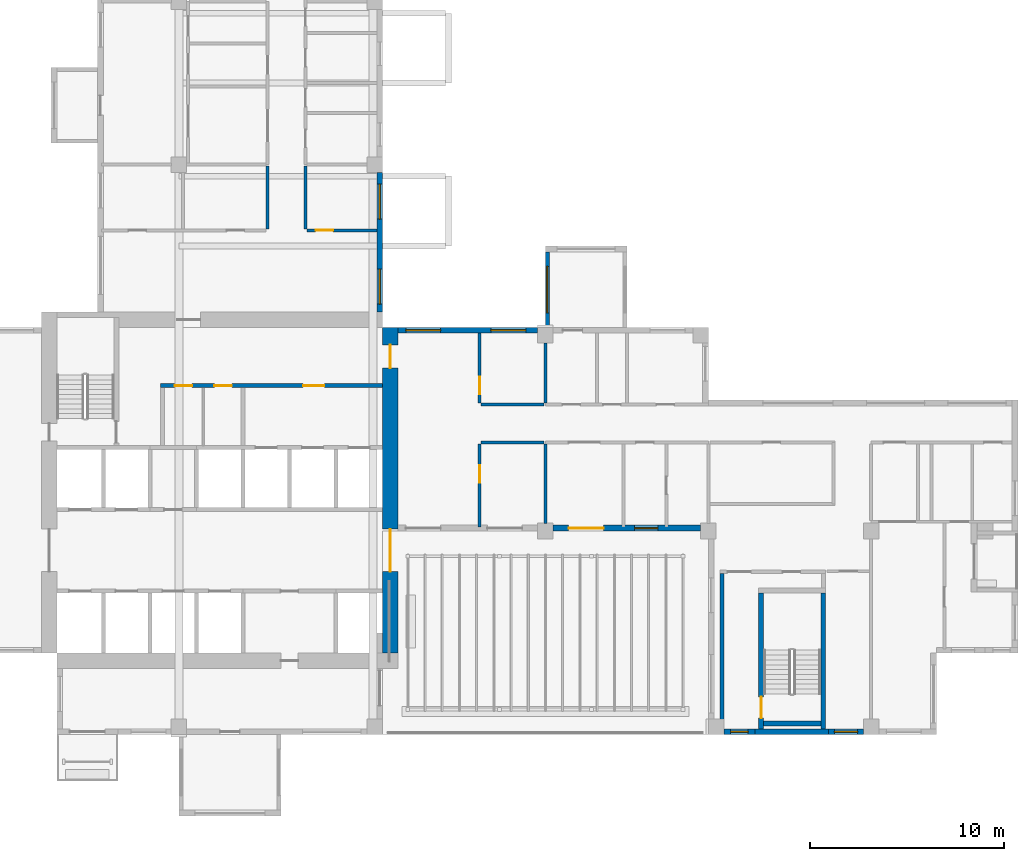
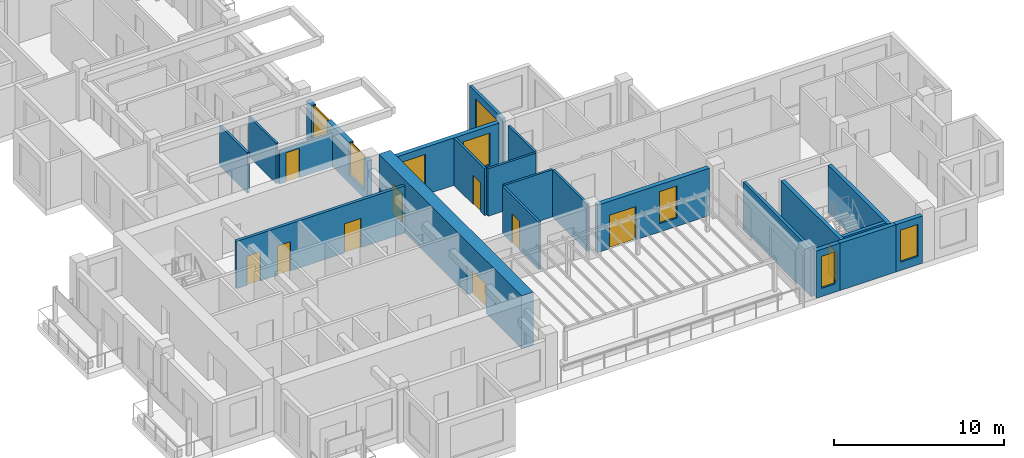
# One storey, part 5 of 13: 22 walls, 10 doors, 8 windows, 18 openings.
"""IFC4 building model written with IfcOpenShell, lengths in metres."""

from ifc_helpers import new_model, si_unit, direction, frame, frame_2d, origin, place, context, subcontext, project, spatial, rectangle, extrude, source, transform, mapped, material, layer, layer_set, type_object, element, fill, save


model = new_model("IFC4")

# Units and contexts
model_context = context("Model", 3, precision=1e-05, world=origin(), true_north=direction((0.0, 1.0)))
body_context = subcontext(model_context, "Body", "Model", "MODEL_VIEW")
ifc_project = project(units=[si_unit("LENGTHUNIT", "METRE"), si_unit("AREAUNIT", "SQUARE_METRE"), si_unit("VOLUMEUNIT", "CUBIC_METRE"), si_unit("PLANEANGLEUNIT", "RADIAN"), si_unit("MASSUNIT", "GRAM", prefix="KILO")], contexts=[model_context])

# Site, building, storey
site_placement = place(None, origin())
site = spatial("IfcSite", under=ifc_project, at=site_placement, CompositionType="ELEMENT")
building_placement = place(site_placement, origin())
building = spatial("IfcBuilding", under=site, at=building_placement, Name="Aurelian Terraces", CompositionType="ELEMENT")
storey_placement = place(building_placement, frame((0.0, 0.0, 253.8)))
storey = spatial("IfcBuildingStorey", under=building, at=storey_placement, Name="L58", CompositionType="ELEMENT", Elevation=253.8)

# Wall, opening, window
ifc_material_1 = material(Name="Terracotta rainscreen cladding", Category="masonry")
ifc_layer_1 = layer(ifc_material_1, 0.3)
ifc_layer_set_1 = layer_set([ifc_layer_1], Name="EW-300")
wall_type_1 = type_object("IfcWallType", Name="EW-300", PredefinedType="STANDARD", material=ifc_layer_set_1)
wall_1_placement = place(storey_placement, frame((38.6, 0.15, 0.0), z_axis=(0.0, 0.0, 1.0), x_axis=(1.0, 0.0, 0.0)))
wall_1 = element("IfcWall", 1, at=wall_1_placement, inside=storey, type_object=wall_type_1, Name="External wall L58 F05.9", PredefinedType="STANDARD", context=body_context, shape_type="SweptSolid", body=[
    extrude(rectangle(XDim=1.6, YDim=0.3, at=frame_2d((0.8, 0.0))), origin(), (0.0, 0.0, 1.0), 3.4),
])
shared_shape_1 = source(origin(), body_context, "Body", "SweptSolid", [
    extrude(rectangle(XDim=0.9, YDim=2.3, at=frame_2d((0.45, 1.15))), frame((0.0, 0.16, 0.0), z_axis=(0.0, -1.0, 0.0), x_axis=(1.0, 0.0, 0.0)), (0.0, 0.0, 1.0), 0.32),
])
opening_1_placement = place(wall_1_placement, frame((0.35, 0.0, 0.6)))
opening_1 = element("IfcOpeningElement", 2, at=opening_1_placement, cuts=wall_1, Name="Opening W0923", PredefinedType="OPENING", context=body_context, shape_type="MappedRepresentation", body=[
    mapped(shared_shape_1, transform((0.0, 0.0, 0.0), scale=1.0)),
])
ifc_material_2 = material(Name="Clear glazing", Category="glass")
window_type_1 = type_object("IfcWindowType", Name="W-900x2300", PartitioningType="SINGLE_PANEL", PredefinedType="WINDOW", material=ifc_material_2)
shared_shape_2 = source(origin(), body_context, "Body", "SweptSolid", [
    extrude(rectangle(XDim=0.9, YDim=2.3, at=frame_2d((0.45, 1.15))), frame((0.0, 0.03, 0.0), z_axis=(0.0, -1.0, 0.0), x_axis=(1.0, 0.0, 0.0)), (0.0, 0.0, 1.0), 0.06),
])
window_1_placement = place(opening_1_placement, origin())
window_1 = element("IfcWindow", 3, at=window_1_placement, inside=storey, type_object=window_type_1, Name="Window L58 L58-F05-09-P0", OverallHeight=2.3, OverallWidth=0.9, PartitioningType="SINGLE_PANEL", PredefinedType="WINDOW", context=body_context, shape_type="MappedRepresentation", body=[
    mapped(shared_shape_2, transform((0.0, 0.0, 0.0), scale=1.0)),
])
fill(opening_1, window_1)

# Wall
ifc_material_3 = material(Name="Gypsum board on steel studs", Category="steel")
ifc_layer_2 = layer(ifc_material_3, 0.15)
ifc_layer_set_2 = layer_set([ifc_layer_2], Name="Fire partition 150")
wall_type_2 = type_object("IfcWallType", Name="Fire partition 150", PredefinedType="PARTITIONING", material=ifc_layer_set_2)
wall_2_placement = place(storey_placement, frame((15.075, 26.075, 0.0), z_axis=(0.0, 0.0, 1.0), x_axis=(0.0, 1.0, 0.0)))
element("IfcWall", 4, at=wall_2_placement, inside=storey, type_object=wall_type_2, Name="Corridor wall", PredefinedType="PARTITIONING", context=body_context, shape_type="SweptSolid", body=[
    extrude(rectangle(XDim=3.25, YDim=0.15, at=frame_2d((1.625, 0.0))), origin(), (0.0, 0.0, 1.0), 2.9),
])

# Wall, openings, doors
ifc_material_4 = material(Name="Concrete fc' 70 MPa", Category="concrete")
ifc_layer_3 = layer(ifc_material_4, 0.8)
ifc_layer_set_3 = layer_set([ifc_layer_3], Name="CORE WALL 800 FC70")
wall_type_3 = type_object("IfcWallType", Name="CORE WALL 800 FC70", PredefinedType="SHEAR", material=ifc_layer_set_3)
shared_shape_3 = source(origin(), body_context, "Body", "SweptSolid", [
    extrude(rectangle(XDim=16.8, YDim=0.8, at=frame_2d((8.4, 0.0))), origin(), (0.0, 0.0, 1.0), 3.8),
])
wall_3_placement = place(storey_placement, frame((21.4, 4.2, 0.0), z_axis=(0.0, 0.0, 1.0), x_axis=(0.0, 1.0, 0.0)))
wall_3 = element("IfcWall", 5, at=wall_3_placement, inside=storey, type_object=wall_type_3, Name="Core wall E L58", PredefinedType="SHEAR", context=body_context, shape_type="MappedRepresentation", body=[
    mapped(shared_shape_3, transform((0.0, 0.0, 0.0), scale=1.0)),
])
shared_shape_4 = source(origin(), body_context, "Body", "SweptSolid", [
    extrude(rectangle(XDim=2.2, YDim=2.1, at=frame_2d((1.1, 1.05))), frame((0.0, 0.41, 0.0), z_axis=(0.0, -1.0, 0.0), x_axis=(1.0, 0.0, 0.0)), (0.0, 0.0, 1.0), 0.82),
])
opening_2_placement = place(wall_3_placement, frame((4.2, 0.0, 0.0)))
opening_2 = element("IfcOpeningElement", 6, at=opening_2_placement, cuts=wall_3, Name="Opening 66121", PredefinedType="OPENING", context=body_context, shape_type="MappedRepresentation", body=[
    mapped(shared_shape_4, transform((0.0, 0.0, 0.0), scale=1.0)),
])
shared_shape_5 = source(origin(), body_context, "Body", "SweptSolid", [
    extrude(rectangle(XDim=1.2, YDim=2.1, at=frame_2d((0.6, 1.05))), frame((0.0, 0.41, 0.0), z_axis=(0.0, -1.0, 0.0), x_axis=(1.0, 0.0, 0.0)), (0.0, 0.0, 1.0), 0.82),
])
opening_3_placement = place(wall_3_placement, frame((14.7, 0.0, 0.0)))
opening_3 = element("IfcOpeningElement", 7, at=opening_3_placement, cuts=wall_3, Name="Opening 66124", PredefinedType="OPENING", context=body_context, shape_type="MappedRepresentation", body=[
    mapped(shared_shape_5, transform((0.0, 0.0, 0.0), scale=1.0)),
])
ifc_material_5 = material(Name="Steel door leaf", Category="steel")
door_type_1 = type_object("IfcDoorType", Name="Core fire door 1200x2100", OperationType="SINGLE_SWING_LEFT", PredefinedType="DOOR", material=ifc_material_5)
shared_shape_6 = source(origin(), body_context, "Body", "SweptSolid", [
    extrude(rectangle(XDim=1.2, YDim=2.1, at=frame_2d((0.6, 1.05))), frame((0.0, 0.025, 0.0), z_axis=(0.0, -1.0, 0.0), x_axis=(1.0, 0.0, 0.0)), (0.0, 0.0, 1.0), 0.05),
])
door_1_placement = place(opening_3_placement, origin())
door_1 = element("IfcDoor", 8, at=door_1_placement, inside=storey, type_object=door_type_1, Name="Core door 66124", OperationType="SINGLE_SWING_LEFT", OverallHeight=2.1, OverallWidth=1.2, PredefinedType="DOOR", context=body_context, shape_type="MappedRepresentation", body=[
    mapped(shared_shape_6, transform((0.0, 0.0, 0.0), scale=1.0)),
])
fill(opening_3, door_1)
door_type_2 = type_object("IfcDoorType", Name="Core double door 2200x2100", OperationType="DOUBLE_DOOR_SINGLE_SWING", PredefinedType="DOOR", material=ifc_material_5)
shared_shape_7 = source(origin(), body_context, "Body", "SweptSolid", [
    extrude(rectangle(XDim=2.2, YDim=2.1, at=frame_2d((1.1, 1.05))), frame((0.0, 0.025, 0.0), z_axis=(0.0, -1.0, 0.0), x_axis=(1.0, 0.0, 0.0)), (0.0, 0.0, 1.0), 0.05),
])
door_2_placement = place(opening_2_placement, origin())
door_2 = element("IfcDoor", 9, at=door_2_placement, inside=storey, type_object=door_type_2, Name="Core door 66121", OperationType="DOUBLE_DOOR_SINGLE_SWING", OverallHeight=2.1, OverallWidth=2.2, PredefinedType="DOOR", context=body_context, shape_type="MappedRepresentation", body=[
    mapped(shared_shape_7, transform((0.0, 0.0, 0.0), scale=1.0)),
])
fill(opening_2, door_2)

# Wall, opening, window
ifc_material_6 = material(Name="Concrete fc' 40 MPa", Category="concrete")
ifc_layer_4 = layer(ifc_material_6, 0.2)
ifc_layer_set_4 = layer_set([ifc_layer_4], Name="BOX BEARING WALL 200")
wall_type_4 = type_object("IfcWallType", Name="BOX BEARING WALL 200", PredefinedType="SOLIDWALL", material=ifc_layer_set_4)
shared_shape_8 = source(origin(), body_context, "Body", "SweptSolid", [
    extrude(rectangle(XDim=3.9, YDim=0.2, at=frame_2d((1.95, 0.0))), origin(), (0.0, 0.0, 1.0), 3.39),
])
wall_4_placement = place(storey_placement, frame((29.5, 21.0, 0.0), z_axis=(0.0, 0.0, 1.0), x_axis=(0.0, 1.0, 0.0)))
wall_4 = element("IfcWall", 10, at=wall_4_placement, inside=storey, type_object=wall_type_4, Name="Box return L58 J84.2", PredefinedType="SOLIDWALL", context=body_context, shape_type="MappedRepresentation", body=[
    mapped(shared_shape_8, transform((0.0, 0.0, 0.0), scale=1.0)),
])
shared_shape_9 = source(origin(), body_context, "Body", "SweptSolid", [
    extrude(rectangle(XDim=2.4, YDim=2.3, at=frame_2d((1.2, 1.15))), frame((0.0, 0.11, 0.0), z_axis=(0.0, -1.0, 0.0), x_axis=(1.0, 0.0, 0.0)), (0.0, 0.0, 1.0), 0.22),
])
opening_4_placement = place(wall_4_placement, frame((0.75, 0.0, 0.6)))
opening_4 = element("IfcOpeningElement", 11, at=opening_4_placement, cuts=wall_4, Name="Opening W2423", PredefinedType="OPENING", context=body_context, shape_type="MappedRepresentation", body=[
    mapped(shared_shape_9, transform((0.0, 0.0, 0.0), scale=1.0)),
])
window_type_2 = type_object("IfcWindowType", Name="W-2400x2300", PartitioningType="SINGLE_PANEL", PredefinedType="WINDOW", material=ifc_material_2)
shared_shape_10 = source(origin(), body_context, "Body", "SweptSolid", [
    extrude(rectangle(XDim=2.4, YDim=2.3, at=frame_2d((1.2, 1.15))), frame((0.0, 0.03, 0.0), z_axis=(0.0, -1.0, 0.0), x_axis=(1.0, 0.0, 0.0)), (0.0, 0.0, 1.0), 0.06),
])
window_2_placement = place(opening_4_placement, origin())
window_2 = element("IfcWindow", 12, at=window_2_placement, inside=storey, type_object=window_type_2, Name="Window L58 J84-S2", OverallHeight=2.3, OverallWidth=2.4, PartitioningType="SINGLE_PANEL", PredefinedType="WINDOW", context=body_context, shape_type="MappedRepresentation", body=[
    mapped(shared_shape_10, transform((0.0, 0.0, 0.0), scale=1.0)),
])
fill(opening_4, window_2)

# Wall
ifc_layer_5 = layer(ifc_material_6, 0.3)
ifc_layer_set_5 = layer_set([ifc_layer_5], Name="STAIR BAY WALL 300")
wall_type_5 = type_object("IfcWallType", Name="STAIR BAY WALL 300", PredefinedType="SOLIDWALL", material=ifc_layer_set_5)
shared_shape_11 = source(origin(), body_context, "Body", "SweptSolid", [
    extrude(rectangle(XDim=3.8, YDim=0.3, at=frame_2d((1.9, 0.0))), origin(), (0.0, 0.0, 1.0), 3.4),
])
wall_5_placement = place(storey_placement, frame((40.2, 0.15, 0.0), z_axis=(0.0, 0.0, 1.0), x_axis=(1.0, 0.0, 0.0)))
element("IfcWall", 13, at=wall_5_placement, inside=storey, type_object=wall_type_5, Name="Stair bay wall L58 F05.9", PredefinedType="SOLIDWALL", context=body_context, shape_type="MappedRepresentation", body=[
    mapped(shared_shape_11, transform((0.0, 0.0, 0.0), scale=1.0)),
])

# Wall, openings, windows
shared_shape_12 = source(origin(), body_context, "Body", "SweptSolid", [
    extrude(rectangle(XDim=7.2, YDim=0.3, at=frame_2d((3.6, 0.0))), origin(), (0.0, 0.0, 1.0), 3.4),
])
wall_6_placement = place(storey_placement, frame((29.0, 20.85, 0.0), z_axis=(0.0, 0.0, 1.0), x_axis=(-1.0, 0.0, 0.0)))
wall_6 = element("IfcWall", 14, at=wall_6_placement, inside=storey, type_object=wall_type_1, Name="External wall L58 F11.20", PredefinedType="STANDARD", context=body_context, shape_type="MappedRepresentation", body=[
    mapped(shared_shape_12, transform((0.0, 0.0, 0.0), scale=1.0)),
])
shared_shape_13 = source(origin(), body_context, "Body", "SweptSolid", [
    extrude(rectangle(XDim=1.8, YDim=2.3, at=frame_2d((0.9, 1.15))), frame((0.0, 0.16, 0.0), z_axis=(0.0, -1.0, 0.0), x_axis=(1.0, 0.0, 0.0)), (0.0, 0.0, 1.0), 0.32),
])
opening_5_placement = place(wall_6_placement, frame((0.6125, 0.0, 0.6)))
opening_5 = element("IfcOpeningElement", 15, at=opening_5_placement, cuts=wall_6, Name="Opening W1823", PredefinedType="OPENING", context=body_context, shape_type="MappedRepresentation", body=[
    mapped(shared_shape_13, transform((0.0, 0.0, 0.0), scale=1.0)),
])
opening_6_placement = place(wall_6_placement, frame((5.0, 0.0, 0.6)))
opening_6 = element("IfcOpeningElement", 16, at=opening_6_placement, cuts=wall_6, Name="Opening W1823", PredefinedType="OPENING", context=body_context, shape_type="MappedRepresentation", body=[
    mapped(shared_shape_13, transform((0.0, 0.0, 0.0), scale=1.0)),
])
window_type_3 = type_object("IfcWindowType", Name="W-1800x2300", PartitioningType="SINGLE_PANEL", PredefinedType="WINDOW", material=ifc_material_2)
shared_shape_14 = source(origin(), body_context, "Body", "SweptSolid", [
    extrude(rectangle(XDim=1.8, YDim=2.3, at=frame_2d((0.9, 1.15))), frame((0.0, 0.03, 0.0), z_axis=(0.0, -1.0, 0.0), x_axis=(1.0, 0.0, 0.0)), (0.0, 0.0, 1.0), 0.06),
])
window_3_placement = place(opening_5_placement, origin())
window_3 = element("IfcWindow", 17, at=window_3_placement, inside=storey, type_object=window_type_3, Name="Window L58 L58-F11-20-0", OverallHeight=2.3, OverallWidth=1.8, PartitioningType="SINGLE_PANEL", PredefinedType="WINDOW", context=body_context, shape_type="MappedRepresentation", body=[
    mapped(shared_shape_14, transform((0.0, 0.0, 0.0), scale=1.0)),
])
fill(opening_5, window_3)
window_4_placement = place(opening_6_placement, origin())
window_4 = element("IfcWindow", 18, at=window_4_placement, inside=storey, type_object=window_type_3, Name="Window L58 L58-F11-20-1", OverallHeight=2.3, OverallWidth=1.8, PartitioningType="SINGLE_PANEL", PredefinedType="WINDOW", context=body_context, shape_type="MappedRepresentation", body=[
    mapped(shared_shape_14, transform((0.0, 0.0, 0.0), scale=1.0)),
])
fill(opening_6, window_4)

# Wall, openings, door, window
shared_shape_15 = source(origin(), body_context, "Body", "SweptSolid", [
    extrude(rectangle(XDim=7.6, YDim=0.3, at=frame_2d((3.8, 0.0))), origin(), (0.0, 0.0, 1.0), 3.4),
])
wall_7_placement = place(storey_placement, frame((29.8, 10.65, 0.0), z_axis=(0.0, 0.0, 1.0), x_axis=(1.0, 0.0, 0.0)))
wall_7 = element("IfcWall", 19, at=wall_7_placement, inside=storey, type_object=wall_type_1, Name="External wall L58 F03.7", PredefinedType="STANDARD", context=body_context, shape_type="MappedRepresentation", body=[
    mapped(shared_shape_15, transform((0.0, 0.0, 0.0), scale=1.0)),
])
shared_shape_16 = source(origin(), body_context, "Body", "SweptSolid", [
    extrude(rectangle(XDim=1.8, YDim=2.4, at=frame_2d((0.9, 1.2))), frame((0.0, 0.16, 0.0), z_axis=(0.0, -1.0, 0.0), x_axis=(1.0, 0.0, 0.0)), (0.0, 0.0, 1.0), 0.32),
])
opening_7_placement = place(wall_7_placement, frame((0.8, 0.0, 0.0)))
opening_7 = element("IfcOpeningElement", 20, at=opening_7_placement, cuts=wall_7, Name="Opening 85805", PredefinedType="OPENING", context=body_context, shape_type="MappedRepresentation", body=[
    mapped(shared_shape_16, transform((0.0, 0.0, 0.0), scale=1.0)),
])
shared_shape_17 = source(origin(), body_context, "Body", "SweptSolid", [
    extrude(rectangle(XDim=1.2, YDim=2.3, at=frame_2d((0.6, 1.15))), frame((0.0, 0.16, 0.0), z_axis=(0.0, -1.0, 0.0), x_axis=(1.0, 0.0, 0.0)), (0.0, 0.0, 1.0), 0.32),
])
opening_8_placement = place(wall_7_placement, frame((4.204, 0.0, 0.6)))
opening_8 = element("IfcOpeningElement", 21, at=opening_8_placement, cuts=wall_7, Name="Opening W1223", PredefinedType="OPENING", context=body_context, shape_type="MappedRepresentation", body=[
    mapped(shared_shape_17, transform((0.0, 0.0, 0.0), scale=1.0)),
])
door_type_3 = type_object("IfcDoorType", Name="BD-1800x2400", OperationType="SLIDING_TO_LEFT", PredefinedType="DOOR", material=ifc_material_2)
shared_shape_18 = source(origin(), body_context, "Body", "SweptSolid", [
    extrude(rectangle(XDim=1.8, YDim=2.4, at=frame_2d((0.9, 1.2))), frame((0.0, 0.025, 0.0), z_axis=(0.0, -1.0, 0.0), x_axis=(1.0, 0.0, 0.0)), (0.0, 0.0, 1.0), 0.05),
])
door_3_placement = place(opening_7_placement, origin())
door_3 = element("IfcDoor", 22, at=door_3_placement, inside=storey, type_object=door_type_3, Name="Terrace door L58 L58-F03-07.1", OperationType="SLIDING_TO_LEFT", OverallHeight=2.4, OverallWidth=1.8, PredefinedType="DOOR", context=body_context, shape_type="MappedRepresentation", body=[
    mapped(shared_shape_18, transform((0.0, 0.0, 0.0), scale=1.0)),
])
fill(opening_7, door_3)
window_type_4 = type_object("IfcWindowType", Name="W-1200x2300", PartitioningType="SINGLE_PANEL", PredefinedType="WINDOW", material=ifc_material_2)
shared_shape_19 = source(origin(), body_context, "Body", "SweptSolid", [
    extrude(rectangle(XDim=1.2, YDim=2.3, at=frame_2d((0.6, 1.15))), frame((0.0, 0.03, 0.0), z_axis=(0.0, -1.0, 0.0), x_axis=(1.0, 0.0, 0.0)), (0.0, 0.0, 1.0), 0.06),
])
window_5_placement = place(opening_8_placement, origin())
window_5 = element("IfcWindow", 23, at=window_5_placement, inside=storey, type_object=window_type_4, Name="Window L58 L58-F03-07-G0-31", OverallHeight=2.3, OverallWidth=1.2, PartitioningType="SINGLE_PANEL", PredefinedType="WINDOW", context=body_context, shape_type="MappedRepresentation", body=[
    mapped(shared_shape_19, transform((0.0, 0.0, 0.0), scale=1.0)),
])
fill(opening_8, window_5)

# Wall, opening, window
shared_shape_20 = source(origin(), body_context, "Body", "SweptSolid", [
    extrude(rectangle(XDim=1.8, YDim=0.3, at=frame_2d((0.9, 0.0))), origin(), (0.0, 0.0, 1.0), 3.4),
])
wall_8_placement = place(storey_placement, frame((44.0, 0.15, 0.0), z_axis=(0.0, 0.0, 1.0), x_axis=(1.0, 0.0, 0.0)))
wall_8 = element("IfcWall", 24, at=wall_8_placement, inside=storey, type_object=wall_type_1, Name="External wall L58 F05.9", PredefinedType="STANDARD", context=body_context, shape_type="MappedRepresentation", body=[
    mapped(shared_shape_20, transform((0.0, 0.0, 0.0), scale=1.0)),
])
opening_9_placement = place(wall_8_placement, frame((0.3, 0.0, 0.6)))
opening_9 = element("IfcOpeningElement", 25, at=opening_9_placement, cuts=wall_8, Name="Opening W1223", PredefinedType="OPENING", context=body_context, shape_type="MappedRepresentation", body=[
    mapped(shared_shape_17, transform((0.0, 0.0, 0.0), scale=1.0)),
])
window_6_placement = place(opening_9_placement, origin())
window_6 = element("IfcWindow", 26, at=window_6_placement, inside=storey, type_object=window_type_4, Name="Window L58 L58-F05-09-P2", OverallHeight=2.3, OverallWidth=1.2, PartitioningType="SINGLE_PANEL", PredefinedType="WINDOW", context=body_context, shape_type="MappedRepresentation", body=[
    mapped(shared_shape_19, transform((0.0, 0.0, 0.0), scale=1.0)),
])
fill(opening_9, window_6)

# Wall, openings, windows
shared_shape_21 = source(origin(), body_context, "Body", "SweptSolid", [
    extrude(rectangle(XDim=7.2, YDim=0.3, at=frame_2d((3.6, 0.0))), origin(), (0.0, 0.0, 1.0), 2.9),
])
wall_9_placement = place(storey_placement, frame((20.85, 21.8, 0.0), z_axis=(0.0, 0.0, 1.0), x_axis=(0.0, 1.0, 0.0)))
wall_9 = element("IfcWall", 27, at=wall_9_placement, inside=storey, type_object=wall_type_1, Name="External wall L58 F12.21", PredefinedType="STANDARD", context=body_context, shape_type="MappedRepresentation", body=[
    mapped(shared_shape_21, transform((0.0, 0.0, 0.0), scale=1.0)),
])
opening_10_placement = place(wall_9_placement, frame((0.4, 0.0, 0.6)))
opening_10 = element("IfcOpeningElement", 28, at=opening_10_placement, cuts=wall_9, Name="Opening W1823", PredefinedType="OPENING", context=body_context, shape_type="MappedRepresentation", body=[
    mapped(shared_shape_13, transform((0.0, 0.0, 0.0), scale=1.0)),
])
opening_11_placement = place(wall_9_placement, frame((4.7875, 0.0, 0.6)))
opening_11 = element("IfcOpeningElement", 29, at=opening_11_placement, cuts=wall_9, Name="Opening W1823", PredefinedType="OPENING", context=body_context, shape_type="MappedRepresentation", body=[
    mapped(shared_shape_13, transform((0.0, 0.0, 0.0), scale=1.0)),
])
window_7_placement = place(opening_10_placement, origin())
window_7 = element("IfcWindow", 30, at=window_7_placement, inside=storey, type_object=window_type_3, Name="Window L58 L58-F12-21-0", OverallHeight=2.3, OverallWidth=1.8, PartitioningType="SINGLE_PANEL", PredefinedType="WINDOW", context=body_context, shape_type="MappedRepresentation", body=[
    mapped(shared_shape_14, transform((0.0, 0.0, 0.0), scale=1.0)),
])
fill(opening_10, window_7)
window_8_placement = place(opening_11_placement, origin())
window_8 = element("IfcWindow", 31, at=window_8_placement, inside=storey, type_object=window_type_3, Name="Window L58 L58-F12-21-1", OverallHeight=2.3, OverallWidth=1.8, PartitioningType="SINGLE_PANEL", PredefinedType="WINDOW", context=body_context, shape_type="MappedRepresentation", body=[
    mapped(shared_shape_14, transform((0.0, 0.0, 0.0), scale=1.0)),
])
fill(opening_11, window_8)

# Wall, opening, door
ifc_layer_6 = layer(ifc_material_6, 0.25)
ifc_layer_set_6 = layer_set([ifc_layer_6], Name="Stair enclosure wall 250")
wall_type_6 = type_object("IfcWallType", Name="Stair enclosure wall 250", PredefinedType="SOLIDWALL", material=ifc_layer_set_6)
shared_shape_22 = source(origin(), body_context, "Body", "SweptSolid", [
    extrude(rectangle(XDim=7.0, YDim=0.25, at=frame_2d((3.5, 0.0))), origin(), (0.0, 0.0, 1.0), 3.4),
])
wall_10_placement = place(storey_placement, frame((40.525, 0.3, 0.0), z_axis=(0.0, 0.0, 1.0), x_axis=(0.0, 1.0, 0.0)))
wall_10 = element("IfcWall", 32, at=wall_10_placement, inside=storey, type_object=wall_type_6, Name="L58 core wall ST-S2-W", PredefinedType="SOLIDWALL", context=body_context, shape_type="MappedRepresentation", body=[
    mapped(shared_shape_22, transform((0.0, 0.0, 0.0), scale=1.0)),
])
shared_shape_23 = source(origin(), body_context, "Body", "SweptSolid", [
    extrude(rectangle(XDim=1.1, YDim=2.1, at=frame_2d((0.55, 1.05))), frame((0.0, 0.135, 0.0), z_axis=(0.0, -1.0, 0.0), x_axis=(1.0, 0.0, 0.0)), (0.0, 0.0, 1.0), 0.27),
])
opening_12_placement = place(wall_10_placement, frame((0.55, 0.0, 0.0)))
opening_12 = element("IfcOpeningElement", 33, at=opening_12_placement, cuts=wall_10, Name="Opening 66115", PredefinedType="OPENING", context=body_context, shape_type="MappedRepresentation", body=[
    mapped(shared_shape_23, transform((0.0, 0.0, 0.0), scale=1.0)),
])
door_type_4 = type_object("IfcDoorType", Name="Core fire door 1100x2100", OperationType="SINGLE_SWING_LEFT", PredefinedType="DOOR", material=ifc_material_5)
shared_shape_24 = source(origin(), body_context, "Body", "SweptSolid", [
    extrude(rectangle(XDim=1.1, YDim=2.1, at=frame_2d((0.55, 1.05))), frame((0.0, 0.025, 0.0), z_axis=(0.0, -1.0, 0.0), x_axis=(1.0, 0.0, 0.0)), (0.0, 0.0, 1.0), 0.05),
])
door_4_placement = place(opening_12_placement, origin())
door_4 = element("IfcDoor", 34, at=door_4_placement, inside=storey, type_object=door_type_4, Name="Stair door 66115", OperationType="SINGLE_SWING_LEFT", OverallHeight=2.1, OverallWidth=1.1, PredefinedType="DOOR", context=body_context, shape_type="MappedRepresentation", body=[
    mapped(shared_shape_24, transform((0.0, 0.0, 0.0), scale=1.0)),
])
fill(opening_12, door_4)

# Walls
wall_11_placement = place(storey_placement, frame((43.725, 0.3, 0.0), z_axis=(0.0, 0.0, 1.0), x_axis=(0.0, 1.0, 0.0)))
element("IfcWall", 35, at=wall_11_placement, inside=storey, type_object=wall_type_6, Name="L58 core wall ST-S2-E", PredefinedType="SOLIDWALL", context=body_context, shape_type="MappedRepresentation", body=[
    mapped(shared_shape_22, transform((0.0, 0.0, 0.0), scale=1.0)),
])
shared_shape_25 = source(origin(), body_context, "Body", "SweptSolid", [
    extrude(rectangle(XDim=2.95, YDim=0.25, at=frame_2d((1.475, 0.0))), origin(), (0.0, 0.0, 1.0), 3.4),
])
wall_12_placement = place(storey_placement, frame((40.65, 0.575, 0.0), z_axis=(0.0, 0.0, 1.0), x_axis=(1.0, 0.0, 0.0)))
element("IfcWall", 36, at=wall_12_placement, inside=storey, type_object=wall_type_6, Name="L58 core wall ST-S2-SS", PredefinedType="SOLIDWALL", context=body_context, shape_type="MappedRepresentation", body=[
    mapped(shared_shape_25, transform((0.0, 0.0, 0.0), scale=1.0)),
])

# Wall, openings, doors
ifc_layer_7 = layer(ifc_material_3, 0.2)
ifc_layer_set_7 = layer_set([ifc_layer_7], Name="Core partition 200")
wall_type_7 = type_object("IfcWallType", Name="Core partition 200", PredefinedType="PARTITIONING", material=ifc_layer_set_7)
shared_shape_26 = source(origin(), body_context, "Body", "SweptSolid", [
    extrude(rectangle(XDim=11.45, YDim=0.2, at=frame_2d((5.725, 0.0))), origin(), (0.0, 0.0, 1.0), 3.4),
])
wall_13_placement = place(storey_placement, frame((9.55, 18.0, 0.0), z_axis=(0.0, 0.0, 1.0), x_axis=(1.0, 0.0, 0.0)))
wall_13 = element("IfcWall", 37, at=wall_13_placement, inside=storey, type_object=wall_type_7, Name="L58 core wall CP-NORTH", PredefinedType="PARTITIONING", context=body_context, shape_type="MappedRepresentation", body=[
    mapped(shared_shape_26, transform((0.0, 0.0, 0.0), scale=1.0)),
])
shared_shape_27 = source(origin(), body_context, "Body", "SweptSolid", [
    extrude(rectangle(XDim=0.9, YDim=2.1, at=frame_2d((0.45, 1.05))), frame((0.0, 0.11, 0.0), z_axis=(0.0, -1.0, 0.0), x_axis=(1.0, 0.0, 0.0)), (0.0, 0.0, 1.0), 0.22),
])
opening_13_placement = place(wall_13_placement, frame((0.725, 0.0, 0.0)))
opening_13 = element("IfcOpeningElement", 38, at=opening_13_placement, cuts=wall_13, Name="Opening 66112", PredefinedType="OPENING", context=body_context, shape_type="MappedRepresentation", body=[
    mapped(shared_shape_27, transform((0.0, 0.0, 0.0), scale=1.0)),
])
opening_14_placement = place(wall_13_placement, frame((2.775, 0.0, 0.0)))
opening_14 = element("IfcOpeningElement", 39, at=opening_14_placement, cuts=wall_13, Name="Opening 66113", PredefinedType="OPENING", context=body_context, shape_type="MappedRepresentation", body=[
    mapped(shared_shape_27, transform((0.0, 0.0, 0.0), scale=1.0)),
])
shared_shape_28 = source(origin(), body_context, "Body", "SweptSolid", [
    extrude(rectangle(XDim=1.1, YDim=2.1, at=frame_2d((0.55, 1.05))), frame((0.0, 0.11, 0.0), z_axis=(0.0, -1.0, 0.0), x_axis=(1.0, 0.0, 0.0)), (0.0, 0.0, 1.0), 0.22),
])
opening_15_placement = place(wall_13_placement, frame((7.35, 0.0, 0.0)))
opening_15 = element("IfcOpeningElement", 40, at=opening_15_placement, cuts=wall_13, Name="Opening 66114", PredefinedType="OPENING", context=body_context, shape_type="MappedRepresentation", body=[
    mapped(shared_shape_28, transform((0.0, 0.0, 0.0), scale=1.0)),
])
door_type_5 = type_object("IfcDoorType", Name="Core service door 900x2100 right", OperationType="SINGLE_SWING_RIGHT", PredefinedType="DOOR", material=ifc_material_5)
shared_shape_29 = source(origin(), body_context, "Body", "SweptSolid", [
    extrude(rectangle(XDim=0.9, YDim=2.1, at=frame_2d((0.45, 1.05))), frame((0.0, 0.025, 0.0), z_axis=(0.0, -1.0, 0.0), x_axis=(1.0, 0.0, 0.0)), (0.0, 0.0, 1.0), 0.05),
])
door_5_placement = place(opening_13_placement, origin())
door_5 = element("IfcDoor", 41, at=door_5_placement, inside=storey, type_object=door_type_5, Name="Room door 66112", OperationType="SINGLE_SWING_RIGHT", OverallHeight=2.1, OverallWidth=0.9, PredefinedType="DOOR", context=body_context, shape_type="MappedRepresentation", body=[
    mapped(shared_shape_29, transform((0.0, 0.0, 0.0), scale=1.0)),
])
fill(opening_13, door_5)
door_type_6 = type_object("IfcDoorType", Name="Core service door 900x2100", OperationType="SINGLE_SWING_LEFT", PredefinedType="DOOR", material=ifc_material_5)
door_6_placement = place(opening_14_placement, origin())
door_6 = element("IfcDoor", 42, at=door_6_placement, inside=storey, type_object=door_type_6, Name="Room door 66113", OperationType="SINGLE_SWING_LEFT", OverallHeight=2.1, OverallWidth=0.9, PredefinedType="DOOR", context=body_context, shape_type="MappedRepresentation", body=[
    mapped(shared_shape_29, transform((0.0, 0.0, 0.0), scale=1.0)),
])
fill(opening_14, door_6)
door_type_7 = type_object("IfcDoorType", Name="Core fire door 1100x2100 right", OperationType="SINGLE_SWING_RIGHT", PredefinedType="DOOR", material=ifc_material_5)
door_7_placement = place(opening_15_placement, origin())
door_7 = element("IfcDoor", 43, at=door_7_placement, inside=storey, type_object=door_type_7, Name="Ff lobby door 66114", OperationType="SINGLE_SWING_RIGHT", OverallHeight=2.1, OverallWidth=1.1, PredefinedType="DOOR", context=body_context, shape_type="MappedRepresentation", body=[
    mapped(shared_shape_24, transform((0.0, 0.0, 0.0), scale=1.0)),
])
fill(opening_15, door_7)

# Wall
shared_shape_30 = source(origin(), body_context, "Body", "SweptSolid", [
    extrude(rectangle(XDim=8.0, YDim=0.2, at=frame_2d((4.0, 0.0))), origin(), (0.0, 0.0, 1.0), 3.4),
])
wall_14_placement = place(storey_placement, frame((38.5, 0.3, 0.0), z_axis=(0.0, 0.0, 1.0), x_axis=(0.0, 1.0, 0.0)))
element("IfcWall", 44, at=wall_14_placement, inside=storey, type_object=wall_type_7, Name="L58 core wall ST-S2-VW", PredefinedType="PARTITIONING", context=body_context, shape_type="MappedRepresentation", body=[
    mapped(shared_shape_30, transform((0.0, 0.0, 0.0), scale=1.0)),
])

# Wall, opening, door
ifc_layer_8 = layer(ifc_material_3, 0.15)
ifc_layer_set_8 = layer_set([ifc_layer_8], Name="Partition 150")
wall_type_8 = type_object("IfcWallType", Name="Partition 150", PredefinedType="PARTITIONING", material=ifc_layer_set_8)
shared_shape_31 = source(origin(), body_context, "Body", "SweptSolid", [
    extrude(rectangle(XDim=3.6, YDim=0.15, at=frame_2d((1.8, 0.0))), origin(), (0.0, 0.0, 1.0), 3.4),
])
wall_15_placement = place(storey_placement, frame((26.0, 20.7, 0.0), z_axis=(0.0, 0.0, 1.0), x_axis=(0.0, -1.0, 0.0)))
wall_15 = element("IfcWall", 45, at=wall_15_placement, inside=storey, type_object=wall_type_8, Name="Partition", PredefinedType="PARTITIONING", context=body_context, shape_type="MappedRepresentation", body=[
    mapped(shared_shape_31, transform((0.0, 0.0, 0.0), scale=1.0)),
])
shared_shape_32 = source(origin(), body_context, "Body", "SweptSolid", [
    extrude(rectangle(XDim=0.9, YDim=2.1, at=frame_2d((0.45, 1.05))), frame((0.0, 0.085, 0.0), z_axis=(0.0, -1.0, 0.0), x_axis=(1.0, 0.0, 0.0)), (0.0, 0.0, 1.0), 0.17),
])
opening_16_placement = place(wall_15_placement, frame((2.25, 0.0, 0.0)))
opening_16 = element("IfcOpeningElement", 46, at=opening_16_placement, cuts=wall_15, Name="Opening 758002", PredefinedType="OPENING", context=body_context, shape_type="MappedRepresentation", body=[
    mapped(shared_shape_32, transform((0.0, 0.0, 0.0), scale=1.0)),
])
ifc_material_7 = material(Name="Timber door leaf", Category="wood")
door_type_8 = type_object("IfcDoorType", Name="Room door 900x2100 left", OperationType="SINGLE_SWING_LEFT", PredefinedType="DOOR", material=ifc_material_7)
door_8_placement = place(opening_16_placement, origin())
door_8 = element("IfcDoor", 47, at=door_8_placement, inside=storey, type_object=door_type_8, Name="Door 758002", OperationType="SINGLE_SWING_LEFT", OverallHeight=2.1, OverallWidth=0.9, PredefinedType="DOOR", context=body_context, shape_type="MappedRepresentation", body=[
    mapped(shared_shape_29, transform((0.0, 0.0, 0.0), scale=1.0)),
])
fill(opening_16, door_8)

shared_shape_33 = source(origin(), body_context, "Body", "SweptSolid", [
    extrude(rectangle(XDim=4.295, YDim=0.15, at=frame_2d((2.1475, 0.0))), origin(), (0.0, 0.0, 1.0), 3.4),
])
wall_16_placement = place(storey_placement, frame((26.0, 15.0, 0.0), z_axis=(0.0, 0.0, 1.0), x_axis=(0.0, -1.0, 0.0)))
wall_16 = element("IfcWall", 48, at=wall_16_placement, inside=storey, type_object=wall_type_8, Name="Partition", PredefinedType="PARTITIONING", context=body_context, shape_type="MappedRepresentation", body=[
    mapped(shared_shape_33, transform((0.0, 0.0, 0.0), scale=1.0)),
])
opening_17_placement = place(wall_16_placement, frame((1.1125, 0.0, 0.0)))
opening_17 = element("IfcOpeningElement", 49, at=opening_17_placement, cuts=wall_16, Name="Opening 758001", PredefinedType="OPENING", context=body_context, shape_type="MappedRepresentation", body=[
    mapped(shared_shape_32, transform((0.0, 0.0, 0.0), scale=1.0)),
])
door_type_9 = type_object("IfcDoorType", Name="Room door 900x2100 right", OperationType="SINGLE_SWING_RIGHT", PredefinedType="DOOR", material=ifc_material_7)
door_9_placement = place(opening_17_placement, origin())
door_9 = element("IfcDoor", 50, at=door_9_placement, inside=storey, type_object=door_type_9, Name="Door 758001", OperationType="SINGLE_SWING_RIGHT", OverallHeight=2.1, OverallWidth=0.9, PredefinedType="DOOR", context=body_context, shape_type="MappedRepresentation", body=[
    mapped(shared_shape_29, transform((0.0, 0.0, 0.0), scale=1.0)),
])
fill(opening_17, door_9)

shared_shape_34 = source(origin(), body_context, "Body", "SweptSolid", [
    extrude(rectangle(XDim=3.6, YDim=0.15, at=frame_2d((1.8, 0.0))), origin(), (0.0, 0.0, 1.0), 2.4),
])
wall_17_placement = place(storey_placement, frame((17.1, 26.0, 0.0), z_axis=(0.0, 0.0, 1.0), x_axis=(1.0, 0.0, 0.0)))
wall_17 = element("IfcWall", 51, at=wall_17_placement, inside=storey, type_object=wall_type_8, Name="Partition", PredefinedType="PARTITIONING", context=body_context, shape_type="MappedRepresentation", body=[
    mapped(shared_shape_34, transform((0.0, 0.0, 0.0), scale=1.0)),
])
opening_18_placement = place(wall_17_placement, frame((0.45, 0.0, 0.0)))
opening_18 = element("IfcOpeningElement", 52, at=opening_18_placement, cuts=wall_17, Name="Opening 758017", PredefinedType="OPENING", context=body_context, shape_type="MappedRepresentation", body=[
    mapped(shared_shape_32, transform((0.0, 0.0, 0.0), scale=1.0)),
])
door_10_placement = place(opening_18_placement, origin())
door_10 = element("IfcDoor", 53, at=door_10_placement, inside=storey, type_object=door_type_8, Name="Door 758017", OperationType="SINGLE_SWING_LEFT", OverallHeight=2.1, OverallWidth=0.9, PredefinedType="DOOR", context=body_context, shape_type="MappedRepresentation", body=[
    mapped(shared_shape_29, transform((0.0, 0.0, 0.0), scale=1.0)),
])
fill(opening_18, door_10)

# Walls
shared_shape_35 = source(origin(), body_context, "Body", "SweptSolid", [
    extrude(rectangle(XDim=4.101, YDim=0.15, at=frame_2d((2.0505, 0.0))), origin(), (0.0, 0.0, 1.0), 3.4),
])
wall_18_placement = place(storey_placement, frame((29.4, 10.899, 0.0), z_axis=(0.0, 0.0, 1.0), x_axis=(0.0, 1.0, 0.0)))
element("IfcWall", 54, at=wall_18_placement, inside=storey, type_object=wall_type_8, Name="Partition", PredefinedType="PARTITIONING", context=body_context, shape_type="MappedRepresentation", body=[
    mapped(shared_shape_35, transform((0.0, 0.0, 0.0), scale=1.0)),
])
shared_shape_36 = source(origin(), body_context, "Body", "SweptSolid", [
    extrude(rectangle(XDim=3.101, YDim=0.15, at=frame_2d((1.5505, 0.0))), origin(), (0.0, 0.0, 1.0), 3.4),
])
wall_19_placement = place(storey_placement, frame((29.4, 17.1, 0.0), z_axis=(0.0, 0.0, 1.0), x_axis=(0.0, 1.0, 0.0)))
element("IfcWall", 55, at=wall_19_placement, inside=storey, type_object=wall_type_8, Name="Partition", PredefinedType="PARTITIONING", context=body_context, shape_type="MappedRepresentation", body=[
    mapped(shared_shape_36, transform((0.0, 0.0, 0.0), scale=1.0)),
])
shared_shape_37 = source(origin(), body_context, "Body", "SweptSolid", [
    extrude(rectangle(XDim=3.25, YDim=0.15, at=frame_2d((1.625, 0.0))), origin(), (0.0, 0.0, 1.0), 3.4),
])
for number, where, z_axis, x_axis, name in (
    (56, (29.325, 15.075, 0.0), (0.0, 0.0, 1.0), (-1.0, 0.0, 0.0), "Corridor wall"),
    (57, (26.075, 17.025, 0.0), (0.0, 0.0, 1.0), (1.0, 0.0, 0.0), "Corridor wall"),
):
    element("IfcWall", number, at=place(storey_placement, frame(where, z_axis=z_axis, x_axis=x_axis)), inside=storey, type_object=wall_type_2, Name=name, PredefinedType="PARTITIONING", context=body_context, shape_type="MappedRepresentation", body=[
        mapped(shared_shape_37, transform((0.0, 0.0, 0.0), scale=1.0)),
    ])
shared_shape_38 = source(origin(), body_context, "Body", "SweptSolid", [
    extrude(rectangle(XDim=3.25, YDim=0.15, at=frame_2d((1.625, 0.0))), origin(), (0.0, 0.0, 1.0), 2.9),
])
wall_20_placement = place(storey_placement, frame((17.025, 29.325, 0.0), z_axis=(0.0, 0.0, 1.0), x_axis=(0.0, -1.0, 0.0)))
element("IfcWall", 58, at=wall_20_placement, inside=storey, type_object=wall_type_2, Name="Corridor wall", PredefinedType="PARTITIONING", context=body_context, shape_type="MappedRepresentation", body=[
    mapped(shared_shape_38, transform((0.0, 0.0, 0.0), scale=1.0)),
])

save(model, "model.ifc")
